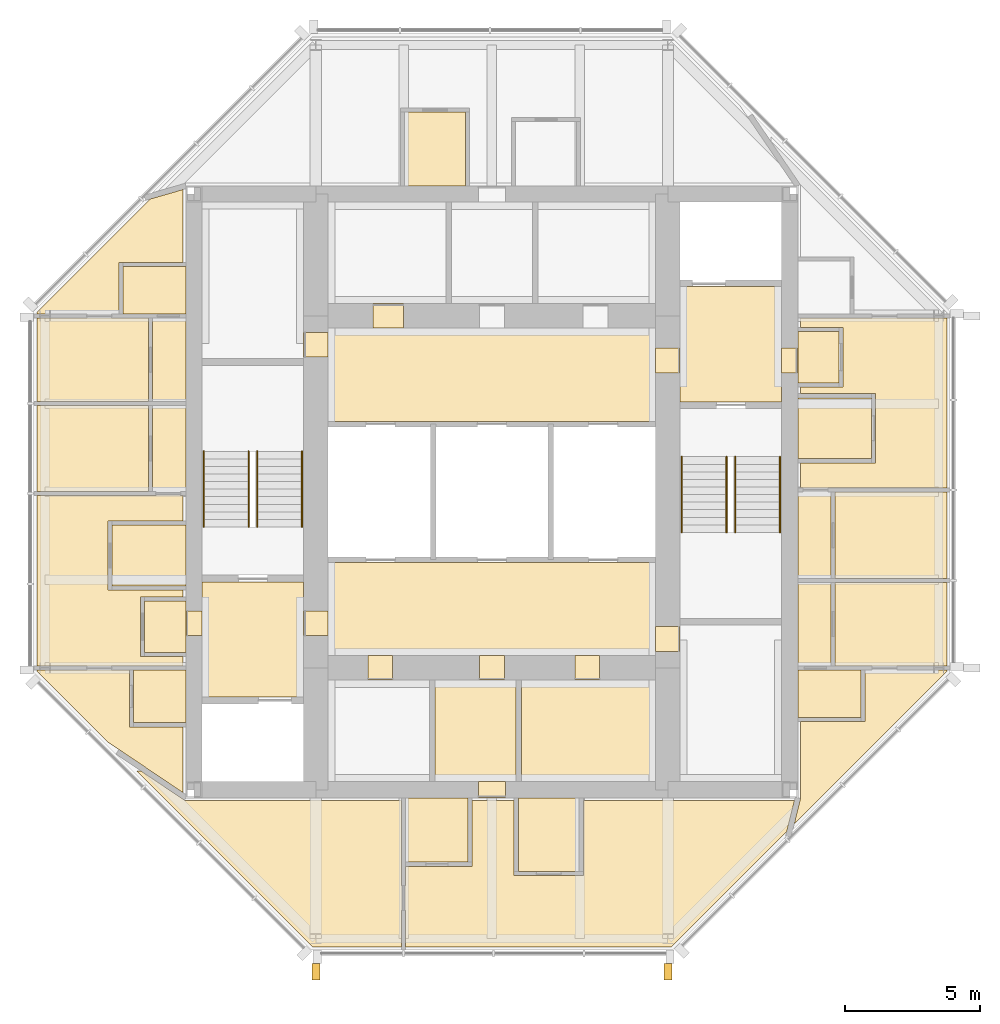
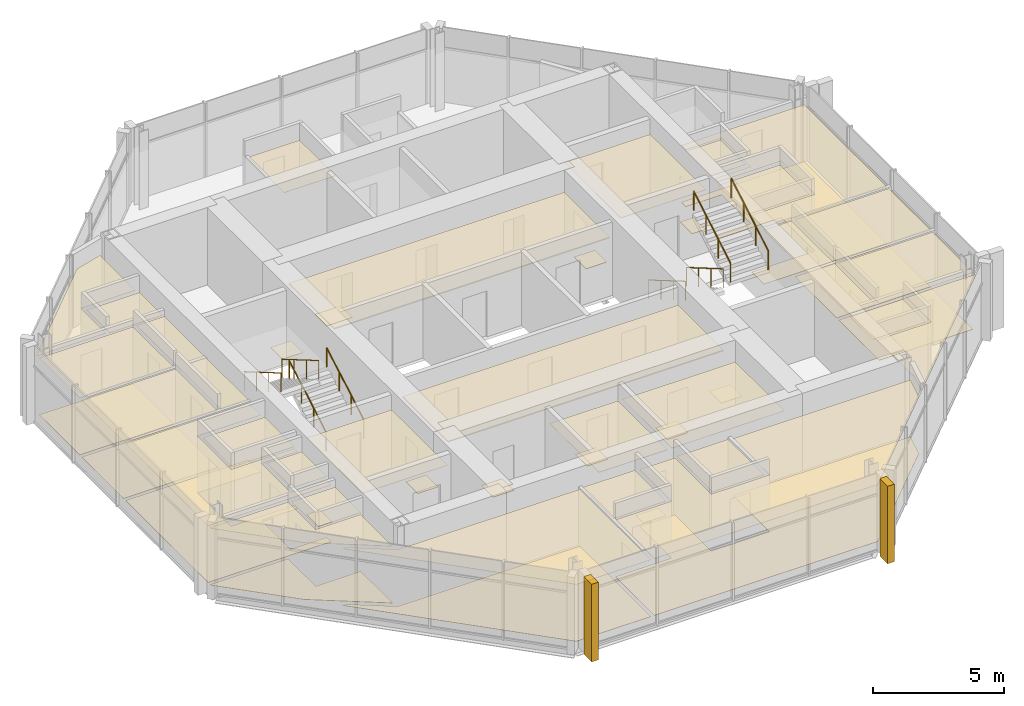
# One storey, part 8 of 9: 51 coverings, 8 railings.
"""IFC4 building model written with IfcOpenShell, lengths in metres."""

from ifc_helpers import new_model, si_unit, direction, frame, origin, origin_2d, place, context, subcontext, project, spatial, polyline, rectangle, circle, outline, extrude, material, layer, layer_set, type_object, element, save


model = new_model("IFC4")

# Units and contexts
model_context = context("Model", 3, precision=1e-05, world=origin(), true_north=direction((0.0, 1.0)))
body_context = subcontext(model_context, "Body", "Model", "MODEL_VIEW")
ifc_project = project(units=[si_unit("LENGTHUNIT", "METRE"), si_unit("AREAUNIT", "SQUARE_METRE"), si_unit("VOLUMEUNIT", "CUBIC_METRE"), si_unit("PLANEANGLEUNIT", "RADIAN"), si_unit("MASSUNIT", "GRAM", prefix="KILO")], contexts=[model_context])

# Site, building, storey
site_placement = place(None, origin())
site = spatial("IfcSite", under=ifc_project, at=site_placement, CompositionType="ELEMENT")
building_placement = place(site_placement, origin())
building = spatial("IfcBuilding", under=site, at=building_placement, Name="Trevanion Tower", CompositionType="ELEMENT")
storey_placement = place(building_placement, frame((0.0, 0.0, 295.60009765625)))
storey = spatial("IfcBuildingStorey", under=building, at=storey_placement, Name="L73", CompositionType="ELEMENT", Elevation=295.60009765625)

# Coverings
ifc_material_1 = material(Name="Fibrous plaster coffers on suspended steel grid", Category="steel")
ifc_layer_1 = layer(ifc_material_1, 0.050048828125)
ifc_layer_set_1 = layer_set([ifc_layer_1], Name="CL1 coffered fibrous plaster ceiling 50")
covering_type_1 = type_object("IfcCoveringType", Name="CL1 coffered fibrous plaster ceiling 50", PredefinedType="CEILING", material=ifc_layer_set_1)
covering_1_placement = place(storey_placement, frame((0.0, 0.0, 2.52978515625)))
element("IfcCovering", 1, at=covering_1_placement, inside=storey, type_object=covering_type_1, Name="CL1 L73-LBN", PredefinedType="CEILING", context=body_context, shape_type="SweptSolid", body=[
    extrude(outline(polyline([(6.050048828125, 2.60009765625), (6.050048828125, 6.050048828125), (-6.050048828125, 6.050048828125), (-6.050048828125, 2.60009765625), (6.050048828125, 2.60009765625)])), origin(), (0.0, 0.0, 1.0), 0.050048828125),
])
covering_2_placement = place(storey_placement, frame((0.0, 0.0, 2.52978515625)))
element("IfcCovering", 2, at=covering_2_placement, inside=storey, type_object=covering_type_1, Name="CL1 L73-LBS", PredefinedType="CEILING", context=body_context, shape_type="SweptSolid", body=[
    extrude(outline(polyline([(6.050048828125, -6.050048828125), (6.050048828125, -2.60009765625), (-6.050048828125, -2.60009765625), (-6.050048828125, -6.050048828125), (6.050048828125, -6.050048828125)])), origin(), (0.0, 0.0, 1.0), 0.050048828125),
])
ifc_material_2 = material(Name="Mineral fibre acoustic tiles in exposed grid", Category="mineral fibre")
ifc_layer_2 = layer(ifc_material_2, 0.02001953125)
ifc_layer_set_2 = layer_set([ifc_layer_2], Name="CL2 acoustic tile ceiling 20")
covering_type_2 = type_object("IfcCoveringType", Name="CL2 acoustic tile ceiling 20", PredefinedType="CEILING", material=ifc_layer_set_2)
covering_3_placement = place(storey_placement, frame((0.0, 0.0, 2.559814453125)))
element("IfcCovering", 3, at=covering_3_placement, inside=storey, type_object=covering_type_2, Name="CL2 L73-CSC", PredefinedType="CEILING", context=body_context, shape_type="SweptSolid", body=[
    extrude(outline(polyline([(0.89990234375, -10.699951171875), (0.89990234375, -6.949951171875), (-2.10009765625, -6.949951171875), (-2.10009765625, -10.699951171875), (0.89990234375, -10.699951171875)])), origin(), (0.0, 0.0, 1.0), 0.02001953125),
])
ifc_material_3 = material(Name="Gypsum plasterboard on suspended metal furring", Category="gypsum")
ifc_layer_3 = layer(ifc_material_3, 0.012939453125)
ifc_layer_set_3 = layer_set([ifc_layer_3], Name="CL3 plasterboard ceiling 13")
covering_type_3 = type_object("IfcCoveringType", Name="CL3 plasterboard ceiling 13", PredefinedType="CEILING", material=ifc_layer_set_3)
covering_4_placement = place(storey_placement, frame((0.0, 0.0, 2.699951171875)))
element("IfcCovering", 4, at=covering_4_placement, inside=storey, type_object=covering_type_3, Name="CL3 L73-FV1", PredefinedType="CEILING", context=body_context, shape_type="SweptSolid", body=[
    extrude(outline(polyline([(10.699951171875, 3.324951171875), (10.699951171875, 7.574951171875), (6.949951171875, 7.574951171875), (6.949951171875, 3.324951171875), (10.699951171875, 3.324951171875)])), origin(), (0.0, 0.0, 1.0), 0.012939453125),
])
covering_5_placement = place(storey_placement, frame((0.0, 0.0, 2.699951171875)))
element("IfcCovering", 5, at=covering_5_placement, inside=storey, type_object=covering_type_3, Name="CL3 L73-FV2", PredefinedType="CEILING", context=body_context, shape_type="SweptSolid", body=[
    extrude(outline(polyline([(-10.699951171875, -3.324951171875), (-10.699951171875, -7.574951171875), (-6.949951171875, -7.574951171875), (-6.949951171875, -3.324951171875), (-10.699951171875, -3.324951171875)])), origin(), (0.0, 0.0, 1.0), 0.012939453125),
])
covering_6_placement = place(storey_placement, frame((0.0, 0.0, 2.56689453125)))
element("IfcCovering", 6, at=covering_6_placement, inside=storey, type_object=covering_type_3, Name="CL3 L73-RSS", PredefinedType="CEILING", context=body_context, shape_type="SweptSolid", body=[
    extrude(outline(polyline([(6.050048828125, -10.699951171875), (6.050048828125, -6.949951171875), (1.10009765625, -6.949951171875), (1.10009765625, -10.699951171875), (6.050048828125, -10.699951171875)])), origin(), (0.0, 0.0, 1.0), 0.012939453125),
])
covering_7_placement = place(storey_placement, frame((0.0, 0.0, 2.699951171875)))
element("IfcCovering", 7, at=covering_7_placement, inside=storey, type_object=covering_type_3, Name="CL3 L73-REE", PredefinedType="CEILING", context=body_context, shape_type="SweptSolid", body=[
    extrude(outline(polyline([(12.824951171875, 4.02490234375), (12.824951171875, 5.925048828125), (11.300048828125, 5.925048828125), (11.300048828125, 4.02490234375), (12.824951171875, 4.02490234375)])), origin(), (0.0, 0.0, 1.0), 0.012939453125),
])
covering_8_placement = place(storey_placement, frame((0.0, 0.0, 2.64599609375)))
element("IfcCovering", 8, at=covering_8_placement, inside=storey, type_object=covering_type_3, Name="CL3 L73-REH", PredefinedType="CEILING", context=body_context, shape_type="SweptSolid", body=[
    extrude(outline(polyline([(12.52490234375, -6.425048828125), (12.52490234375, -0.010009765625), (11.300048828125, -0.010009765625), (11.300048828125, -6.425048828125), (12.52490234375, -6.425048828125)])), origin(), (0.0, 0.0, 1.0), 0.012939453125),
])
covering_9_placement = place(storey_placement, frame((0.0, 0.0, 2.640869140625)))
element("IfcCovering", 9, at=covering_9_placement, inside=storey, type_object=covering_type_3, Name="CL3 L73-RED", PredefinedType="CEILING", context=body_context, shape_type="SweptSolid", body=[
    extrude(outline(polyline([(11.16552734375, -12.2587890625), (11.39990234375, -11.312255859375), (11.39990234375, -8.47509765625), (13.77490234375, -8.47509765625), (13.77490234375, -6.574951171875), (16.800048828125, -6.574951171875), (16.800048828125, -6.624267578125), (11.16552734375, -12.2587890625)])), origin(), (0.0, 0.0, 1.0), 0.012939453125),
])
covering_10_placement = place(storey_placement, frame((0.0, 0.0, 2.640869140625)))
element("IfcCovering", 10, at=covering_10_placement, inside=storey, type_object=covering_type_3, Name="CL3 L73-REB", PredefinedType="CEILING", context=body_context, shape_type="SweptSolid", body=[
    extrude(outline(polyline([(12.675048828125, -6.425048828125), (12.675048828125, -3.341064453125), (16.800048828125, -3.341064453125), (16.800048828125, -6.425048828125), (12.675048828125, -6.425048828125)])), origin(), (0.0, 0.0, 1.0), 0.012939453125),
])
covering_11_placement = place(storey_placement, frame((0.0, 0.0, 2.64599609375)))
element("IfcCovering", 11, at=covering_11_placement, inside=storey, type_object=covering_type_3, Name="CL3 L73-REB2", PredefinedType="CEILING", context=body_context, shape_type="SweptSolid", body=[
    extrude(outline(polyline([(12.675048828125, -3.19091796875), (12.675048828125, -0.010009765625), (16.800048828125, -0.010009765625), (16.800048828125, -3.19091796875), (12.675048828125, -3.19091796875)])), origin(), (0.0, 0.0, 1.0), 0.012939453125),
])
covering_12_placement = place(storey_placement, frame((0.0, 0.0, 2.640869140625)))
element("IfcCovering", 12, at=covering_12_placement, inside=storey, type_object=covering_type_3, Name="CL3 L73-REL", PredefinedType="CEILING", context=body_context, shape_type="SweptSolid", body=[
    extrude(outline(polyline([(11.39990234375, 0.139892578125), (11.39990234375, 1.074951171875), (14.175048828125, 1.074951171875), (14.175048828125, 3.625), (11.39990234375, 3.625), (11.39990234375, 3.875), (12.97509765625, 3.875), (12.97509765625, 6.074951171875), (11.39990234375, 6.074951171875), (11.39990234375, 6.425048828125), (16.800048828125, 6.425048828125), (16.800048828125, 0.139892578125), (11.39990234375, 0.139892578125)])), origin(), (0.0, 0.0, 1.0), 0.012939453125),
])
covering_13_placement = place(storey_placement, frame((0.0, 0.0, 2.699951171875)))
element("IfcCovering", 13, at=covering_13_placement, inside=storey, type_object=covering_type_3, Name="CL3 L73-RWE", PredefinedType="CEILING", context=body_context, shape_type="SweptSolid", body=[
    extrude(outline(polyline([(-12.824951171875, -4.02490234375), (-12.824951171875, -5.925048828125), (-11.300048828125, -5.925048828125), (-11.300048828125, -4.02490234375), (-12.824951171875, -4.02490234375)])), origin(), (0.0, 0.0, 1.0), 0.012939453125),
])
covering_14_placement = place(storey_placement, frame((0.0, 0.0, 2.64599609375)))
element("IfcCovering", 14, at=covering_14_placement, inside=storey, type_object=covering_type_3, Name="CL3 L73-RWH", PredefinedType="CEILING", context=body_context, shape_type="SweptSolid", body=[
    extrude(outline(polyline([(-12.52490234375, 6.425048828125), (-12.52490234375, 0.010009765625), (-11.300048828125, 0.010009765625), (-11.300048828125, 6.425048828125), (-12.52490234375, 6.425048828125)])), origin(), (0.0, 0.0, 1.0), 0.012939453125),
])
covering_15_placement = place(storey_placement, frame((0.0, 0.0, 2.640869140625)))
element("IfcCovering", 15, at=covering_15_placement, inside=storey, type_object=covering_type_3, Name="CL3 L73-RWD", PredefinedType="CEILING", context=body_context, shape_type="SweptSolid", body=[
    extrude(outline(polyline([(-12.606689453125, 10.817626953125), (-11.39990234375, 11.1669921875), (-11.39990234375, 8.47509765625), (-13.77490234375, 8.47509765625), (-13.77490234375, 6.574951171875), (-16.800048828125, 6.574951171875), (-16.800048828125, 6.624267578125), (-12.606689453125, 10.817626953125)])), origin(), (0.0, 0.0, 1.0), 0.012939453125),
])
covering_16_placement = place(storey_placement, frame((0.0, 0.0, 2.640869140625)))
element("IfcCovering", 16, at=covering_16_placement, inside=storey, type_object=covering_type_3, Name="CL3 L73-RWB", PredefinedType="CEILING", context=body_context, shape_type="SweptSolid", body=[
    extrude(outline(polyline([(-12.675048828125, 6.425048828125), (-12.675048828125, 3.341064453125), (-16.800048828125, 3.341064453125), (-16.800048828125, 6.425048828125), (-12.675048828125, 6.425048828125)])), origin(), (0.0, 0.0, 1.0), 0.012939453125),
])
covering_17_placement = place(storey_placement, frame((0.0, 0.0, 2.64599609375)))
element("IfcCovering", 17, at=covering_17_placement, inside=storey, type_object=covering_type_3, Name="CL3 L73-RWB2", PredefinedType="CEILING", context=body_context, shape_type="SweptSolid", body=[
    extrude(outline(polyline([(-12.675048828125, 3.19091796875), (-12.675048828125, 0.010009765625), (-16.800048828125, 0.010009765625), (-16.800048828125, 3.19091796875), (-12.675048828125, 3.19091796875)])), origin(), (0.0, 0.0, 1.0), 0.012939453125),
])
covering_18_placement = place(storey_placement, frame((0.0, 0.0, 2.640869140625)))
element("IfcCovering", 18, at=covering_18_placement, inside=storey, type_object=covering_type_3, Name="CL3 L73-RWL", PredefinedType="CEILING", context=body_context, shape_type="SweptSolid", body=[
    extrude(outline(polyline([(-11.39990234375, -0.139892578125), (-11.39990234375, -1.074951171875), (-14.175048828125, -1.074951171875), (-14.175048828125, -3.625), (-11.39990234375, -3.625), (-11.39990234375, -3.875), (-12.97509765625, -3.875), (-12.97509765625, -6.074951171875), (-11.39990234375, -6.074951171875), (-11.39990234375, -6.425048828125), (-16.800048828125, -6.425048828125), (-16.800048828125, -0.139892578125), (-11.39990234375, -0.139892578125)])), origin(), (0.0, 0.0, 1.0), 0.012939453125),
])
covering_19_placement = place(storey_placement, frame((0.0, 0.0, 2.640869140625)))
element("IfcCovering", 19, at=covering_19_placement, inside=storey, type_object=covering_type_3, Name="CL3 L73-RWB3", PredefinedType="CEILING", context=body_context, shape_type="SweptSolid", body=[
    extrude(outline(polyline([(-13.375, -6.574951171875), (-13.375, -8.675048828125), (-11.39990234375, -8.675048828125), (-11.39990234375, -11.112060546875), (-14.197021484375, -9.227294921875), (-16.800048828125, -6.624267578125), (-16.800048828125, -6.574951171875), (-13.375, -6.574951171875)])), origin(), (0.0, 0.0, 1.0), 0.012939453125),
])
covering_20_placement = place(storey_placement, frame((0.0, 0.0, 2.640869140625)))
element("IfcCovering", 20, at=covering_20_placement, inside=storey, type_object=covering_type_3, Name="CL3 L73-RSB", PredefinedType="CEILING", context=body_context, shape_type="SweptSolid", body=[
    extrude(outline(polyline([(-12.962890625, -10.300048828125), (-11.33056640625, -11.39990234375), (-3.341064453125, -11.39990234375), (-3.341064453125, -16.800048828125), (-6.624267578125, -16.800048828125), (-13.124267578125, -10.300048828125), (-12.962890625, -10.300048828125)])), origin(), (0.0, 0.0, 1.0), 0.012939453125),
])
covering_21_placement = place(storey_placement, frame((0.0, 0.0, 2.640869140625)))
element("IfcCovering", 21, at=covering_21_placement, inside=storey, type_object=covering_type_3, Name="CL3 L73-RSL", PredefinedType="CEILING", context=body_context, shape_type="SweptSolid", body=[
    extrude(outline(polyline([(10.8916015625, -12.53271484375), (6.624267578125, -16.800048828125), (-3.19091796875, -16.800048828125), (-3.19091796875, -13.824951171875), (-0.72509765625, -13.824951171875), (-0.72509765625, -11.39990234375), (0.824951171875, -11.39990234375), (0.824951171875, -14.175048828125), (3.375, -14.175048828125), (3.375, -11.39990234375), (11.172119140625, -11.39990234375), (10.8916015625, -12.53271484375)])), origin(), (0.0, 0.0, 1.0), 0.012939453125),
])
ifc_material_4 = material(Name="Moisture-resistant gypsum board on suspended metal furring", Category="gypsum")
ifc_layer_4 = layer(ifc_material_4, 0.01611328125)
ifc_layer_set_4 = layer_set([ifc_layer_4], Name="CL4 moisture-resistant board ceiling 16")
covering_type_4 = type_object("IfcCoveringType", Name="CL4 moisture-resistant board ceiling 16", PredefinedType="CEILING", material=ifc_layer_set_4)
covering_22_placement = place(storey_placement, frame((0.0, 0.0, 2.599853515625)))
element("IfcCovering", 22, at=covering_22_placement, inside=storey, type_object=covering_type_4, Name="CL4 L73-REK", PredefinedType="CEILING", context=body_context, shape_type="SweptSolid", body=[
    extrude(outline(polyline([(14.02490234375, 1.22509765625), (14.02490234375, 3.47509765625), (11.300048828125, 3.47509765625), (11.300048828125, 1.22509765625), (14.02490234375, 1.22509765625)])), origin(), (0.0, 0.0, 1.0), 0.01611328125),
])
covering_23_placement = place(storey_placement, frame((0.0, 0.0, 2.599853515625)))
element("IfcCovering", 23, at=covering_23_placement, inside=storey, type_object=covering_type_4, Name="CL4 L73-RET", PredefinedType="CEILING", context=body_context, shape_type="SweptSolid", body=[
    extrude(outline(polyline([(13.625, -8.324951171875), (13.625, -6.574951171875), (11.300048828125, -6.574951171875), (11.300048828125, -8.324951171875), (13.625, -8.324951171875)])), origin(), (0.0, 0.0, 1.0), 0.01611328125),
])
covering_24_placement = place(storey_placement, frame((0.0, 0.0, 2.599853515625)))
element("IfcCovering", 24, at=covering_24_placement, inside=storey, type_object=covering_type_4, Name="CL4 L73-RNK", PredefinedType="CEILING", context=body_context, shape_type="SweptSolid", body=[
    extrude(outline(polyline([(-0.97509765625, 14.02490234375), (-3.22509765625, 14.02490234375), (-3.22509765625, 11.300048828125), (-0.97509765625, 11.300048828125), (-0.97509765625, 14.02490234375)])), origin(), (0.0, 0.0, 1.0), 0.01611328125),
])
covering_25_placement = place(storey_placement, frame((0.0, 0.0, 2.599853515625)))
element("IfcCovering", 25, at=covering_25_placement, inside=storey, type_object=covering_type_4, Name="CL4 L73-RWK", PredefinedType="CEILING", context=body_context, shape_type="SweptSolid", body=[
    extrude(outline(polyline([(-14.02490234375, -1.22509765625), (-14.02490234375, -3.47509765625), (-11.300048828125, -3.47509765625), (-11.300048828125, -1.22509765625), (-14.02490234375, -1.22509765625)])), origin(), (0.0, 0.0, 1.0), 0.01611328125),
])
covering_26_placement = place(storey_placement, frame((0.0, 0.0, 2.599853515625)))
element("IfcCovering", 26, at=covering_26_placement, inside=storey, type_object=covering_type_4, Name="CL4 L73-RWW", PredefinedType="CEILING", context=body_context, shape_type="SweptSolid", body=[
    extrude(outline(polyline([(-13.22509765625, -6.574951171875), (-13.22509765625, -8.52490234375), (-11.300048828125, -8.52490234375), (-11.300048828125, -6.574951171875), (-13.22509765625, -6.574951171875)])), origin(), (0.0, 0.0, 1.0), 0.01611328125),
])
covering_27_placement = place(storey_placement, frame((0.0, 0.0, 2.599853515625)))
element("IfcCovering", 27, at=covering_27_placement, inside=storey, type_object=covering_type_4, Name="CL4 L73-RWT", PredefinedType="CEILING", context=body_context, shape_type="SweptSolid", body=[
    extrude(outline(polyline([(-13.625, 8.324951171875), (-13.625, 6.574951171875), (-11.300048828125, 6.574951171875), (-11.300048828125, 8.324951171875), (-13.625, 8.324951171875)])), origin(), (0.0, 0.0, 1.0), 0.01611328125),
])
covering_28_placement = place(storey_placement, frame((0.0, 0.0, 2.599853515625)))
element("IfcCovering", 28, at=covering_28_placement, inside=storey, type_object=covering_type_4, Name="CL4 L73-RSK", PredefinedType="CEILING", context=body_context, shape_type="SweptSolid", body=[
    extrude(outline(polyline([(0.97509765625, -14.02490234375), (3.22509765625, -14.02490234375), (3.22509765625, -11.300048828125), (0.97509765625, -11.300048828125), (0.97509765625, -14.02490234375)])), origin(), (0.0, 0.0, 1.0), 0.01611328125),
])
covering_29_placement = place(storey_placement, frame((0.0, 0.0, 2.599853515625)))
element("IfcCovering", 29, at=covering_29_placement, inside=storey, type_object=covering_type_4, Name="CL4 L73-RST", PredefinedType="CEILING", context=body_context, shape_type="SweptSolid", body=[
    extrude(outline(polyline([(-3.19091796875, -13.675048828125), (-0.875, -13.675048828125), (-0.875, -11.300048828125), (-3.19091796875, -11.300048828125), (-3.19091796875, -13.675048828125)])), origin(), (0.0, 0.0, 1.0), 0.01611328125),
])
ifc_material_5 = material(Name="Cast bronze fin on aluminium carrier", Category="aluminium")
covering_type_5 = type_object("IfcCoveringType", Name="F1 bronze fin", PredefinedType="CLADDING", material=ifc_material_5)
for number, where, z_axis, x_axis, name in (
    (30, (-6.5, -17.72509765625, -0.190185546875), (0.0, 0.0, 1.0), (1.0, 0.0, 0.0), "F1 L73 south -6.5"),
    (31, (6.5, -17.72509765625, -0.190185546875), (0.0, 0.0, 1.0), (1.0, 0.0, 0.0), "F1 L73 south +6.5"),
):
    element("IfcCovering", number, at=place(storey_placement, frame(where, z_axis=z_axis, x_axis=x_axis)), inside=storey, type_object=covering_type_5, Name=name, PredefinedType="CLADDING", context=body_context, shape_type="SweptSolid", body=[
        extrude(rectangle(XDim=0.300048828125, YDim=0.60009765625, at=origin_2d()), origin(), (0.0, 0.0, 1.0), 3.60009765625),
    ])
ifc_material_6 = material(Name="Terrazzo, brass divider strips", Category="stone")
ifc_layer_5 = layer(ifc_material_6, 0.02001953125)
ifc_layer_set_5 = layer_set([ifc_layer_5], Name="FF1 terrazzo flooring")
covering_type_6 = type_object("IfcCoveringType", Name="FF1 terrazzo flooring", PredefinedType="FLOORING", material=ifc_layer_set_5)
covering_30_placement = place(storey_placement, origin())
element("IfcCovering", 32, at=covering_30_placement, inside=storey, type_object=covering_type_6, Name="FF1 threshold 73-001", PredefinedType="FLOORING", context=body_context, shape_type="SweptSolid", body=[
    extrude(outline(polyline([(11.300048828125, 4.392578125), (11.300048828125, 5.3076171875), (10.699951171875, 5.3076171875), (10.699951171875, 4.392578125), (11.300048828125, 4.392578125)])), origin(), (0.0, 0.0, 1.0), 0.02001953125),
])
covering_31_placement = place(storey_placement, origin())
element("IfcCovering", 33, at=covering_31_placement, inside=storey, type_object=covering_type_6, Name="FF1 threshold 73-002", PredefinedType="FLOORING", context=body_context, shape_type="SweptSolid", body=[
    extrude(outline(polyline([(-11.300048828125, -4.392578125), (-11.300048828125, -5.3076171875), (-10.699951171875, -5.3076171875), (-10.699951171875, -4.392578125), (-11.300048828125, -4.392578125)])), origin(), (0.0, 0.0, 1.0), 0.02001953125),
])
covering_32_placement = place(storey_placement, origin())
element("IfcCovering", 34, at=covering_32_placement, inside=storey, type_object=covering_type_6, Name="FF1 threshold 73-003", PredefinedType="FLOORING", context=body_context, shape_type="SweptSolid", body=[
    extrude(outline(polyline([(6.949951171875, 4.392578125), (6.949951171875, 5.3076171875), (6.050048828125, 5.3076171875), (6.050048828125, 4.392578125), (6.949951171875, 4.392578125)])), origin(), (0.0, 0.0, 1.0), 0.02001953125),
])
covering_33_placement = place(storey_placement, origin())
element("IfcCovering", 35, at=covering_33_placement, inside=storey, type_object=covering_type_6, Name="FF1 threshold 73-004", PredefinedType="FLOORING", context=body_context, shape_type="SweptSolid", body=[
    extrude(outline(polyline([(-6.949951171875, -4.392578125), (-6.949951171875, -5.3076171875), (-6.050048828125, -5.3076171875), (-6.050048828125, -4.392578125), (-6.949951171875, -4.392578125)])), origin(), (0.0, 0.0, 1.0), 0.02001953125),
])
covering_34_placement = place(storey_placement, origin())
element("IfcCovering", 36, at=covering_34_placement, inside=storey, type_object=covering_type_6, Name="FF1 threshold 73-009", PredefinedType="FLOORING", context=body_context, shape_type="SweptSolid", body=[
    extrude(outline(polyline([(6.949951171875, -5.889892578125), (6.949951171875, -4.97509765625), (6.050048828125, -4.97509765625), (6.050048828125, -5.889892578125), (6.949951171875, -5.889892578125)])), origin(), (0.0, 0.0, 1.0), 0.02001953125),
])
covering_35_placement = place(storey_placement, origin())
element("IfcCovering", 37, at=covering_35_placement, inside=storey, type_object=covering_type_6, Name="FF1 threshold 73-010", PredefinedType="FLOORING", context=body_context, shape_type="SweptSolid", body=[
    extrude(outline(polyline([(-6.949951171875, 5.889892578125), (-6.949951171875, 4.97509765625), (-6.050048828125, 4.97509765625), (-6.050048828125, 5.889892578125), (-6.949951171875, 5.889892578125)])), origin(), (0.0, 0.0, 1.0), 0.02001953125),
])
covering_36_placement = place(storey_placement, origin())
element("IfcCovering", 38, at=covering_36_placement, inside=storey, type_object=covering_type_6, Name="FF1 threshold 73-019", PredefinedType="FLOORING", context=body_context, shape_type="SweptSolid", body=[
    extrude(outline(polyline([(-3.26611328125, 6.949951171875), (-4.384033203125, 6.949951171875), (-4.384033203125, 6.050048828125), (-3.26611328125, 6.050048828125), (-3.26611328125, 6.949951171875)])), origin(), (0.0, 0.0, 1.0), 0.02001953125),
])
covering_37_placement = place(storey_placement, origin())
element("IfcCovering", 39, at=covering_37_placement, inside=storey, type_object=covering_type_6, Name="FF1 threshold 73-021", PredefinedType="FLOORING", context=body_context, shape_type="SweptSolid", body=[
    extrude(outline(polyline([(-0.45751953125, -6.949951171875), (0.45751953125, -6.949951171875), (0.45751953125, -6.050048828125), (-0.45751953125, -6.050048828125), (-0.45751953125, -6.949951171875)])), origin(), (0.0, 0.0, 1.0), 0.02001953125),
])
covering_38_placement = place(storey_placement, origin())
element("IfcCovering", 40, at=covering_38_placement, inside=storey, type_object=covering_type_6, Name="FF1 threshold 73-022", PredefinedType="FLOORING", context=body_context, shape_type="SweptSolid", body=[
    extrude(outline(polyline([(-0.5, -11.300048828125), (0.5, -11.300048828125), (0.5, -10.699951171875), (-0.5, -10.699951171875), (-0.5, -11.300048828125)])), origin(), (0.0, 0.0, 1.0), 0.02001953125),
])
covering_39_placement = place(storey_placement, origin())
element("IfcCovering", 41, at=covering_39_placement, inside=storey, type_object=covering_type_6, Name="FF1 threshold 73-023", PredefinedType="FLOORING", context=body_context, shape_type="SweptSolid", body=[
    extrude(outline(polyline([(-4.58251953125, -6.949951171875), (-3.66748046875, -6.949951171875), (-3.66748046875, -6.050048828125), (-4.58251953125, -6.050048828125), (-4.58251953125, -6.949951171875)])), origin(), (0.0, 0.0, 1.0), 0.02001953125),
])
covering_40_placement = place(storey_placement, origin())
element("IfcCovering", 42, at=covering_40_placement, inside=storey, type_object=covering_type_6, Name="FF1 threshold 73-024", PredefinedType="FLOORING", context=body_context, shape_type="SweptSolid", body=[
    extrude(outline(polyline([(3.0673828125, -6.949951171875), (3.982421875, -6.949951171875), (3.982421875, -6.050048828125), (3.0673828125, -6.050048828125), (3.0673828125, -6.949951171875)])), origin(), (0.0, 0.0, 1.0), 0.02001953125),
])
ifc_material_7 = material(Name="Engineered oak", Category="wood")
ifc_layer_6 = layer(ifc_material_7, 0.014892578125)
ifc_layer_set_6 = layer_set([ifc_layer_6], Name="FF3 timber flooring")
covering_type_7 = type_object("IfcCoveringType", Name="FF3 timber flooring", PredefinedType="FLOORING", material=ifc_layer_set_6)
covering_41_placement = place(storey_placement, origin())
element("IfcCovering", 43, at=covering_41_placement, inside=storey, type_object=covering_type_7, Name="FF3 L73-REB", PredefinedType="FLOORING", context=body_context, shape_type="SweptSolid", body=[
    extrude(outline(polyline([(12.675048828125, -6.425048828125), (12.675048828125, -3.341064453125), (16.800048828125, -3.341064453125), (16.800048828125, -6.425048828125), (12.675048828125, -6.425048828125)])), origin(), (0.0, 0.0, 1.0), 0.014892578125),
])
covering_42_placement = place(storey_placement, origin())
element("IfcCovering", 44, at=covering_42_placement, inside=storey, type_object=covering_type_7, Name="FF3 L73-REB2", PredefinedType="FLOORING", context=body_context, shape_type="SweptSolid", body=[
    extrude(outline(polyline([(12.675048828125, -3.19091796875), (12.675048828125, -0.010009765625), (16.800048828125, -0.010009765625), (16.800048828125, -3.19091796875), (12.675048828125, -3.19091796875)])), origin(), (0.0, 0.0, 1.0), 0.014892578125),
])
covering_43_placement = place(storey_placement, origin())
element("IfcCovering", 45, at=covering_43_placement, inside=storey, type_object=covering_type_7, Name="FF3 L73-REL", PredefinedType="FLOORING", context=body_context, shape_type="SweptSolid", body=[
    extrude(outline(polyline([(11.39990234375, 0.139892578125), (11.39990234375, 1.074951171875), (14.175048828125, 1.074951171875), (14.175048828125, 3.625), (11.39990234375, 3.625), (11.39990234375, 3.875), (12.97509765625, 3.875), (12.97509765625, 6.074951171875), (11.39990234375, 6.074951171875), (11.39990234375, 6.425048828125), (16.800048828125, 6.425048828125), (16.800048828125, 0.139892578125), (11.39990234375, 0.139892578125)])), origin(), (0.0, 0.0, 1.0), 0.014892578125),
])
covering_44_placement = place(storey_placement, origin())
element("IfcCovering", 46, at=covering_44_placement, inside=storey, type_object=covering_type_7, Name="FF3 L73-RWB", PredefinedType="FLOORING", context=body_context, shape_type="SweptSolid", body=[
    extrude(outline(polyline([(-12.675048828125, 6.425048828125), (-12.675048828125, 3.341064453125), (-16.800048828125, 3.341064453125), (-16.800048828125, 6.425048828125), (-12.675048828125, 6.425048828125)])), origin(), (0.0, 0.0, 1.0), 0.014892578125),
])
covering_45_placement = place(storey_placement, origin())
element("IfcCovering", 47, at=covering_45_placement, inside=storey, type_object=covering_type_7, Name="FF3 L73-RWB2", PredefinedType="FLOORING", context=body_context, shape_type="SweptSolid", body=[
    extrude(outline(polyline([(-12.675048828125, 3.19091796875), (-12.675048828125, 0.010009765625), (-16.800048828125, 0.010009765625), (-16.800048828125, 3.19091796875), (-12.675048828125, 3.19091796875)])), origin(), (0.0, 0.0, 1.0), 0.014892578125),
])
covering_46_placement = place(storey_placement, origin())
element("IfcCovering", 48, at=covering_46_placement, inside=storey, type_object=covering_type_7, Name="FF3 L73-RWL", PredefinedType="FLOORING", context=body_context, shape_type="SweptSolid", body=[
    extrude(outline(polyline([(-11.39990234375, -0.139892578125), (-11.39990234375, -1.074951171875), (-14.175048828125, -1.074951171875), (-14.175048828125, -3.625), (-11.39990234375, -3.625), (-11.39990234375, -3.875), (-12.97509765625, -3.875), (-12.97509765625, -6.074951171875), (-11.39990234375, -6.074951171875), (-11.39990234375, -6.425048828125), (-16.800048828125, -6.425048828125), (-16.800048828125, -0.139892578125), (-11.39990234375, -0.139892578125)])), origin(), (0.0, 0.0, 1.0), 0.014892578125),
])
covering_47_placement = place(storey_placement, origin())
element("IfcCovering", 49, at=covering_47_placement, inside=storey, type_object=covering_type_7, Name="FF3 L73-RWB3", PredefinedType="FLOORING", context=body_context, shape_type="SweptSolid", body=[
    extrude(outline(polyline([(-13.375, -6.574951171875), (-13.375, -8.675048828125), (-11.39990234375, -8.675048828125), (-11.39990234375, -11.112060546875), (-14.197021484375, -9.227294921875), (-16.800048828125, -6.624267578125), (-16.800048828125, -6.574951171875), (-13.375, -6.574951171875)])), origin(), (0.0, 0.0, 1.0), 0.014892578125),
])
covering_48_placement = place(storey_placement, origin())
element("IfcCovering", 50, at=covering_48_placement, inside=storey, type_object=covering_type_7, Name="FF3 L73-RSB", PredefinedType="FLOORING", context=body_context, shape_type="SweptSolid", body=[
    extrude(outline(polyline([(-12.962890625, -10.300048828125), (-11.33056640625, -11.39990234375), (-3.341064453125, -11.39990234375), (-3.341064453125, -16.800048828125), (-6.624267578125, -16.800048828125), (-13.124267578125, -10.300048828125), (-12.962890625, -10.300048828125)])), origin(), (0.0, 0.0, 1.0), 0.014892578125),
])
covering_49_placement = place(storey_placement, origin())
element("IfcCovering", 51, at=covering_49_placement, inside=storey, type_object=covering_type_7, Name="FF3 L73-RSL", PredefinedType="FLOORING", context=body_context, shape_type="SweptSolid", body=[
    extrude(outline(polyline([(10.8916015625, -12.53271484375), (6.624267578125, -16.800048828125), (-3.19091796875, -16.800048828125), (-3.19091796875, -13.824951171875), (-0.72509765625, -13.824951171875), (-0.72509765625, -11.39990234375), (0.824951171875, -11.39990234375), (0.824951171875, -14.175048828125), (3.375, -14.175048828125), (3.375, -11.39990234375), (11.172119140625, -11.39990234375), (10.8916015625, -12.53271484375)])), origin(), (0.0, 0.0, 1.0), 0.014892578125),
])

# Railings
ifc_material_8 = material(Name="Stainless steel tube 40 mm", Category="steel")
railing_type = type_object("IfcRailingType", Name="HR1 handrail", PredefinedType="HANDRAIL", material=ifc_material_8)
for number, where, name in (
    (52, (7.010009765625, 1.300048828125, 0.16357421875), "HR1 ST1 L73 flight 1"),
    (53, (8.6650390625, 1.300048828125, 0.16357421875), "HR1 ST1 L73 flight 1"),
):
    element("IfcRailing", number, at=place(storey_placement, frame(where)), inside=storey, type_object=railing_type, Name=name, PredefinedType="HANDRAIL", context=body_context, shape_type="SweptSolid", body=[
        extrude(circle(Radius=0.02001953125, at=origin_2d()), frame((0.0, 0.0, 0.8798828125), z_axis=(0.0, -0.863393664356, 0.504530851732), x_axis=(1.0, 0.0, 0.0)), (0.0, 0.0, 1.0), 3.2431640625),
        extrude(circle(Radius=0.01513671875, at=origin_2d()), origin(), (0.0, 0.0, 1.0), 0.85986328125),
        extrude(circle(Radius=0.01513671875, at=origin_2d()), frame((0.0, -0.933349609375, 0.54541015625)), (0.0, 0.0, 1.0), 0.85986328125),
        extrude(circle(Radius=0.01513671875, at=origin_2d()), frame((0.0, -1.86669921875, 1.0908203125)), (0.0, 0.0, 1.0), 0.85986328125),
        extrude(circle(Radius=0.01513671875, at=origin_2d()), frame((0.0, -2.800048828125, 1.63623046875)), (0.0, 0.0, 1.0), 0.85986328125),
    ])
for number, where, name in (
    (54, (8.985107421875, -1.5, 1.963623046875), "HR1 ST1 L73 flight 2"),
    (55, (10.639892578125, -1.5, 1.963623046875), "HR1 ST1 L73 flight 2"),
    (56, (-7.010009765625, -1.300048828125, 0.16357421875), "HR1 ST2 L73 flight 1"),
    (57, (-8.6650390625, -1.300048828125, 0.16357421875), "HR1 ST2 L73 flight 1"),
):
    element("IfcRailing", number, at=place(storey_placement, frame(where)), inside=storey, type_object=railing_type, Name=name, PredefinedType="HANDRAIL", context=body_context, shape_type="SweptSolid", body=[
        extrude(circle(Radius=0.02001953125, at=origin_2d()), frame((0.0, 0.0, 0.8798828125), z_axis=(0.0, 0.863393664356, 0.504530851732), x_axis=(-1.0, 0.0, 0.0)), (0.0, 0.0, 1.0), 3.2431640625),
        extrude(circle(Radius=0.01513671875, at=origin_2d()), origin(), (0.0, 0.0, 1.0), 0.85986328125),
        extrude(circle(Radius=0.01513671875, at=origin_2d()), frame((0.0, 0.933349609375, 0.54541015625)), (0.0, 0.0, 1.0), 0.85986328125),
        extrude(circle(Radius=0.01513671875, at=origin_2d()), frame((0.0, 1.86669921875, 1.0908203125)), (0.0, 0.0, 1.0), 0.85986328125),
        extrude(circle(Radius=0.01513671875, at=origin_2d()), frame((0.0, 2.800048828125, 1.63623046875)), (0.0, 0.0, 1.0), 0.85986328125),
    ])
for number, where, name in (
    (58, (-8.985107421875, 1.5, 1.963623046875), "HR1 ST2 L73 flight 2"),
    (59, (-10.639892578125, 1.5, 1.963623046875), "HR1 ST2 L73 flight 2"),
):
    element("IfcRailing", number, at=place(storey_placement, frame(where)), inside=storey, type_object=railing_type, Name=name, PredefinedType="HANDRAIL", context=body_context, shape_type="SweptSolid", body=[
        extrude(circle(Radius=0.02001953125, at=origin_2d()), frame((0.0, 0.0, 0.8798828125), z_axis=(0.0, -0.863393664356, 0.504530851732), x_axis=(1.0, 0.0, 0.0)), (0.0, 0.0, 1.0), 3.2431640625),
        extrude(circle(Radius=0.01513671875, at=origin_2d()), origin(), (0.0, 0.0, 1.0), 0.85986328125),
        extrude(circle(Radius=0.01513671875, at=origin_2d()), frame((0.0, -0.933349609375, 0.54541015625)), (0.0, 0.0, 1.0), 0.85986328125),
        extrude(circle(Radius=0.01513671875, at=origin_2d()), frame((0.0, -1.86669921875, 1.0908203125)), (0.0, 0.0, 1.0), 0.85986328125),
        extrude(circle(Radius=0.01513671875, at=origin_2d()), frame((0.0, -2.800048828125, 1.63623046875)), (0.0, 0.0, 1.0), 0.85986328125),
    ])

save(model, "model.ifc")
